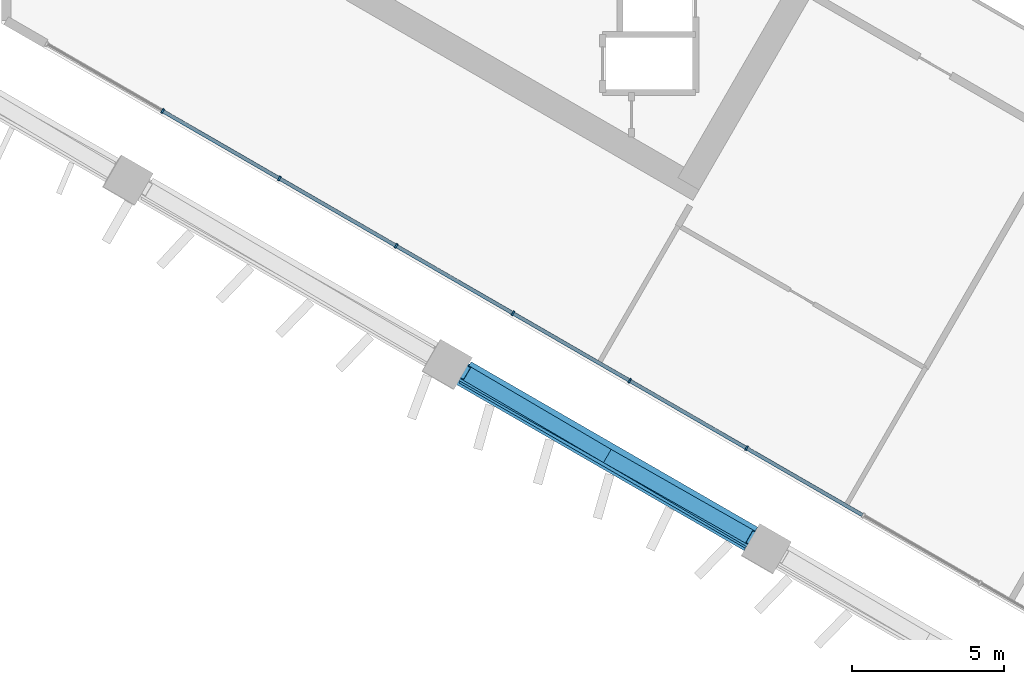
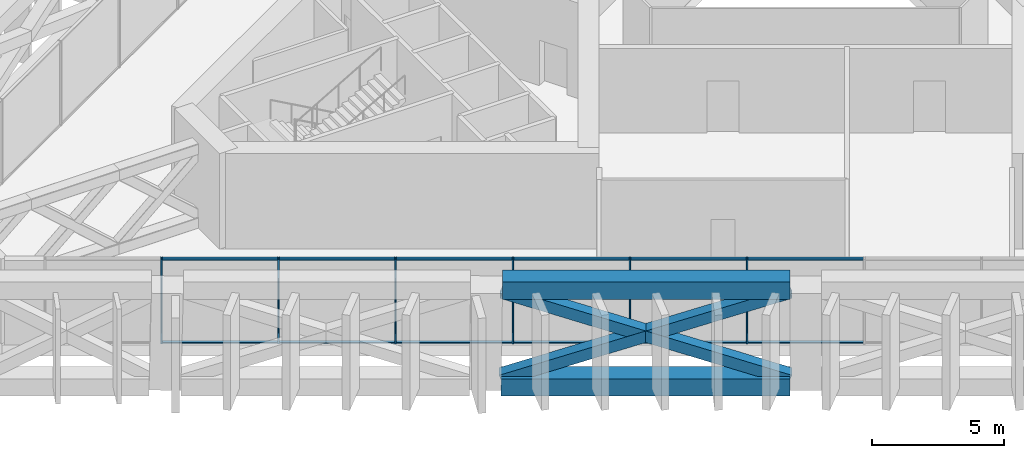
# One storey, part 2 of 18: 22 members, 1 element without a shape of its own.
"""IFC4 building model written with IfcOpenShell, lengths in metres."""

from ifc_helpers import new_model, si_unit, direction, frame, origin, origin_2d, place, context, subcontext, project, spatial, rectangle, hollow_rectangle, extrude, material, layer, layer_set, material_profile, profile_set, type_object, element, aggregate, save


model = new_model("IFC4")

# Units and contexts
model_context = context("Model", 3, precision=1e-05, world=origin(), true_north=direction((0.0, 1.0)))
body_context = subcontext(model_context, "Body", "Model", "MODEL_VIEW")
ifc_project = project(units=[si_unit("LENGTHUNIT", "METRE"), si_unit("AREAUNIT", "SQUARE_METRE"), si_unit("VOLUMEUNIT", "CUBIC_METRE"), si_unit("PLANEANGLEUNIT", "RADIAN"), si_unit("MASSUNIT", "GRAM", prefix="KILO")], contexts=[model_context])

# Site, building, storey
site_placement = place(None, origin())
site = spatial("IfcSite", under=ifc_project, at=site_placement, CompositionType="ELEMENT")
building_placement = place(site_placement, origin())
building = spatial("IfcBuilding", under=site, at=building_placement, Name="Jabali Bay Hotel Tower and Convention Centre", CompositionType="ELEMENT")
storey_placement = place(building_placement, frame((0.0, 0.0, 52.89990234375)))
storey = spatial("IfcBuildingStorey", under=building, at=storey_placement, Name="L11", CompositionType="ELEMENT", Elevation=52.89990234375)

# Members
ifc_material_1 = material(Name="Steel Q420GJC", Category="steel")
ifc_material_profile_1 = material_profile(ifc_material_1, hollow_rectangle(XDim=0.5, YDim=0.5, WallThickness=0.030029296875, at=origin_2d()), Name="Belt brace 500x500x30")
ifc_profile_set_1 = profile_set([ifc_material_profile_1], Name="Steel Q420GJC")
member_type_1 = type_object("IfcMemberType", Name="Belt brace 500x500x30", PredefinedType="BRACE", material=ifc_profile_set_1)
member_1_placement = place(storey_placement, frame((53.252685546875, 65.32421875, 0.21826171875), z_axis=(0.817278706472, -0.463891049165, 0.341848812273), x_axis=(0.493629794654, 0.869672136975, 0.0)))
element("IfcMember", 1, at=member_1_placement, inside=storey, type_object=member_type_1, Name="Belt brace T1 F2.2-F2.3 x1", PredefinedType="BRACE", context=body_context, shape_type="SweptSolid", body=[
    extrude(hollow_rectangle(XDim=0.5, YDim=0.5, WallThickness=0.030029296875, at=origin_2d()), origin(), (0.0, 0.0, 1.0), 11.5947265625),
])
member_2_placement = place(storey_placement, frame((62.688720703125, 59.876220703125, 0.21923828125), z_axis=(-0.809997225508, 0.47566199284, 0.343001695676), x_axis=(-0.506381751057, -0.8623094121, 0.0)))
element("IfcMember", 2, at=member_2_placement, inside=storey, type_object=member_type_1, Name="Belt brace T1 F2.2-F2.3 x2", PredefinedType="BRACE", context=body_context, shape_type="SweptSolid", body=[
    extrude(hollow_rectangle(XDim=0.5, YDim=0.5, WallThickness=0.030029296875, at=origin_2d()), origin(), (0.0, 0.0, 1.0), 11.550048828125),
])
ifc_material_profile_2 = material_profile(ifc_material_1, hollow_rectangle(XDim=0.800048828125, YDim=0.800048828125, WallThickness=0.0400390625, at=origin_2d()), Name="Belt chord 800x800x40")
ifc_profile_set_2 = profile_set([ifc_material_profile_2], Name="Steel Q420GJC")
member_type_2 = type_object("IfcMemberType", Name="Belt chord 800x800x40", PredefinedType="CHORD", material=ifc_profile_set_2)
member_3_placement = place(storey_placement, frame((53.25048828125, 65.3203125, 0.0), z_axis=(0.866031107881, -0.499990120084, 0.0), x_axis=(0.499990120084, 0.866031107881, 0.0)))
element("IfcMember", 3, at=member_3_placement, inside=storey, type_object=member_type_2, Name="Belt chord T1 F2.2-F2.3", PredefinedType="CHORD", context=body_context, shape_type="SweptSolid", body=[
    extrude(hollow_rectangle(XDim=0.800048828125, YDim=0.800048828125, WallThickness=0.0400390625, at=origin_2d()), origin(), (0.0, 0.0, 1.0), 10.895751953125),
])
member_4_placement = place(storey_placement, frame((53.33544921875, 65.373779296875, 4.400146484375), z_axis=(0.866032690154, -0.499987379426, 0.0), x_axis=(0.499987379426, 0.866032690154, 0.0)))
element("IfcMember", 4, at=member_4_placement, inside=storey, type_object=member_type_2, Name="Belt chord T1 F2.2-F2.3", PredefinedType="CHORD", context=body_context, shape_type="SweptSolid", body=[
    extrude(hollow_rectangle(XDim=0.800048828125, YDim=0.800048828125, WallThickness=0.0400390625, at=origin_2d()), origin(), (0.0, 0.0, 1.0), 10.848876953125),
])

# Curtain wall, members
ifc_material_2 = material(Name="Aluminium and glass", Category="aluminium")
ifc_layer = layer(ifc_material_2, 0.159912109375)
ifc_layer_set = layer_set([ifc_layer], Name="Aluminium and glass")
curtain_wall_type = type_object("IfcCurtainWallType", Name="CW3 curtain wall", PredefinedType="NOTDEFINED", material=ifc_layer_set)
curtain_wall_placement = place(storey_placement, origin())
curtain_wall = element("IfcCurtainWall", 5, at=curtain_wall_placement, inside=storey, type_object=curtain_wall_type, Name="CW3 curtain wall south-west face L11", PredefinedType="NOTDEFINED")
ifc_material_3 = material(Name="Aluminium", Category="aluminium")
ifc_material_profile_3 = material_profile(ifc_material_3, rectangle(XDim=0.159912109375, YDim=0.06005859375, at=origin_2d()), Name="CW3 mullion 60 x 160")
ifc_profile_set_3 = profile_set([ifc_material_profile_3], Name="Aluminium")
member_type_3 = type_object("IfcMemberType", Name="CW3 mullion 60 x 160", PredefinedType="MULLION", material=ifc_profile_set_3)
member_5_placement = place(storey_placement, frame((62.566162109375, 62.886474609375, 0.0), z_axis=(0.0, 0.0, 1.0), x_axis=(-0.500000005895, -0.866025400381, 0.0)))
member_5 = element("IfcMember", 6, at=member_5_placement, type_object=member_type_3, Name="CW3 mullion 8", PredefinedType="MULLION", context=body_context, shape_type="SweptSolid", body=[
    extrude(rectangle(XDim=0.159912109375, YDim=0.06005859375, at=origin_2d()), origin(), (0.0, 0.0, 1.0), 3.900146484375),
])
member_6_placement = place(storey_placement, frame((58.73583984375, 65.097900390625, 0.0), z_axis=(0.0, 0.0, 1.0), x_axis=(-0.500000005895, -0.866025400381, 0.0)))
member_6 = element("IfcMember", 7, at=member_6_placement, type_object=member_type_3, Name="CW3 mullion 9", PredefinedType="MULLION", context=body_context, shape_type="SweptSolid", body=[
    extrude(rectangle(XDim=0.159912109375, YDim=0.06005859375, at=origin_2d()), origin(), (0.0, 0.0, 1.0), 3.900146484375),
])
member_7_placement = place(storey_placement, frame((54.90576171875, 67.309326171875, 0.0), z_axis=(0.0, 0.0, 1.0), x_axis=(-0.500000005895, -0.866025400381, 0.0)))
member_7 = element("IfcMember", 8, at=member_7_placement, type_object=member_type_3, Name="CW3 mullion 10", PredefinedType="MULLION", context=body_context, shape_type="SweptSolid", body=[
    extrude(rectangle(XDim=0.159912109375, YDim=0.06005859375, at=origin_2d()), origin(), (0.0, 0.0, 1.0), 3.900146484375),
])
member_8_placement = place(storey_placement, frame((51.075439453125, 69.5205078125, 0.0), z_axis=(0.0, 0.0, 1.0), x_axis=(-0.500000005895, -0.866025400381, 0.0)))
member_8 = element("IfcMember", 9, at=member_8_placement, type_object=member_type_3, Name="CW3 mullion 11", PredefinedType="MULLION", context=body_context, shape_type="SweptSolid", body=[
    extrude(rectangle(XDim=0.159912109375, YDim=0.06005859375, at=origin_2d()), origin(), (0.0, 0.0, 1.0), 3.900146484375),
])
member_9_placement = place(storey_placement, frame((47.245361328125, 71.73193359375, 0.0), z_axis=(0.0, 0.0, 1.0), x_axis=(-0.500000005895, -0.866025400381, 0.0)))
member_9 = element("IfcMember", 10, at=member_9_placement, type_object=member_type_3, Name="CW3 mullion 12", PredefinedType="MULLION", context=body_context, shape_type="SweptSolid", body=[
    extrude(rectangle(XDim=0.159912109375, YDim=0.06005859375, at=origin_2d()), origin(), (0.0, 0.0, 1.0), 3.900146484375),
])
member_10_placement = place(storey_placement, frame((43.4150390625, 73.943359375, 0.0), z_axis=(0.0, 0.0, 1.0), x_axis=(-0.500000005895, -0.866025400381, 0.0)))
member_10 = element("IfcMember", 11, at=member_10_placement, type_object=member_type_3, Name="CW3 mullion 13", PredefinedType="MULLION", context=body_context, shape_type="SweptSolid", body=[
    extrude(rectangle(XDim=0.159912109375, YDim=0.06005859375, at=origin_2d()), origin(), (0.0, 0.0, 1.0), 3.900146484375),
])
ifc_material_profile_4 = material_profile(ifc_material_3, rectangle(XDim=0.1201171875, YDim=0.06005859375, at=origin_2d()), Name="CW3 transom 60 x 120")
ifc_profile_set_4 = profile_set([ifc_material_profile_4], Name="Aluminium")
member_type_4 = type_object("IfcMemberType", Name="CW3 transom 60 x 120", PredefinedType="USERDEFINED", material=ifc_profile_set_4)
member_11_placement = place(storey_placement, frame((66.370361328125, 60.690185546875, 0.030029296875), z_axis=(-0.86602716698, 0.499996946043, 0.0), x_axis=(-0.499996946043, -0.86602716698, 0.0)))
member_11 = element("IfcMember", 12, at=member_11_placement, type_object=member_type_4, Name="CW3 transom 7.1", ObjectType="TRANSOM", PredefinedType="USERDEFINED", context=body_context, shape_type="SweptSolid", body=[
    extrude(rectangle(XDim=0.1201171875, YDim=0.06005859375, at=origin_2d()), origin(), (0.0, 0.0, 1.0), 4.36279296875),
])
member_12_placement = place(storey_placement, frame((66.370361328125, 60.690185546875, 3.8701171875), z_axis=(-0.86602716698, 0.499996946043, 0.0), x_axis=(-0.499996946043, -0.86602716698, 0.0)))
member_12 = element("IfcMember", 13, at=member_12_placement, type_object=member_type_4, Name="CW3 transom 7.2", ObjectType="TRANSOM", PredefinedType="USERDEFINED", context=body_context, shape_type="SweptSolid", body=[
    extrude(rectangle(XDim=0.1201171875, YDim=0.06005859375, at=origin_2d()), origin(), (0.0, 0.0, 1.0), 4.36279296875),
])
member_13_placement = place(storey_placement, frame((62.5400390625, 62.901611328125, 0.030029296875), z_axis=(-0.866013176292, 0.50002117804, 0.0), x_axis=(-0.50002117804, -0.866013176292, 0.0)))
member_13 = element("IfcMember", 14, at=member_13_placement, type_object=member_type_4, Name="CW3 transom 8.1", ObjectType="TRANSOM", PredefinedType="USERDEFINED", context=body_context, shape_type="SweptSolid", body=[
    extrude(rectangle(XDim=0.1201171875, YDim=0.06005859375, at=origin_2d()), origin(), (0.0, 0.0, 1.0), 4.362548828125),
])
member_14_placement = place(storey_placement, frame((62.5400390625, 62.901611328125, 3.8701171875), z_axis=(-0.866013176292, 0.50002117804, 0.0), x_axis=(-0.50002117804, -0.866013176292, 0.0)))
member_14 = element("IfcMember", 15, at=member_14_placement, type_object=member_type_4, Name="CW3 transom 8.2", ObjectType="TRANSOM", PredefinedType="USERDEFINED", context=body_context, shape_type="SweptSolid", body=[
    extrude(rectangle(XDim=0.1201171875, YDim=0.06005859375, at=origin_2d()), origin(), (0.0, 0.0, 1.0), 4.362548828125),
])
member_15_placement = place(storey_placement, frame((58.7099609375, 65.11279296875, 0.030029296875), z_axis=(-0.86602716698, 0.499996946043, 0.0), x_axis=(-0.499996946043, -0.86602716698, 0.0)))
member_15 = element("IfcMember", 16, at=member_15_placement, type_object=member_type_4, Name="CW3 transom 9.1", ObjectType="TRANSOM", PredefinedType="USERDEFINED", context=body_context, shape_type="SweptSolid", body=[
    extrude(rectangle(XDim=0.1201171875, YDim=0.06005859375, at=origin_2d()), origin(), (0.0, 0.0, 1.0), 4.36279296875),
])
member_16_placement = place(storey_placement, frame((58.7099609375, 65.11279296875, 3.8701171875), z_axis=(-0.86602716698, 0.499996946043, 0.0), x_axis=(-0.499996946043, -0.86602716698, 0.0)))
member_16 = element("IfcMember", 17, at=member_16_placement, type_object=member_type_4, Name="CW3 transom 9.2", ObjectType="TRANSOM", PredefinedType="USERDEFINED", context=body_context, shape_type="SweptSolid", body=[
    extrude(rectangle(XDim=0.1201171875, YDim=0.06005859375, at=origin_2d()), origin(), (0.0, 0.0, 1.0), 4.36279296875),
])
member_17_placement = place(storey_placement, frame((54.879638671875, 67.32421875, 0.030029296875), z_axis=(-0.866013176292, 0.50002117804, 0.0), x_axis=(-0.50002117804, -0.866013176292, 0.0)))
member_17 = element("IfcMember", 18, at=member_17_placement, type_object=member_type_4, Name="CW3 transom 10.1", ObjectType="TRANSOM", PredefinedType="USERDEFINED", context=body_context, shape_type="SweptSolid", body=[
    extrude(rectangle(XDim=0.1201171875, YDim=0.06005859375, at=origin_2d()), origin(), (0.0, 0.0, 1.0), 4.362548828125),
])
member_18_placement = place(storey_placement, frame((54.879638671875, 67.32421875, 3.8701171875), z_axis=(-0.866013176292, 0.50002117804, 0.0), x_axis=(-0.50002117804, -0.866013176292, 0.0)))
member_18 = element("IfcMember", 19, at=member_18_placement, type_object=member_type_4, Name="CW3 transom 10.2", ObjectType="TRANSOM", PredefinedType="USERDEFINED", context=body_context, shape_type="SweptSolid", body=[
    extrude(rectangle(XDim=0.1201171875, YDim=0.06005859375, at=origin_2d()), origin(), (0.0, 0.0, 1.0), 4.362548828125),
])
member_19_placement = place(storey_placement, frame((51.049560546875, 69.53564453125, 0.030029296875), z_axis=(-0.86602716698, 0.499996946043, 0.0), x_axis=(-0.499996946043, -0.86602716698, 0.0)))
member_19 = element("IfcMember", 20, at=member_19_placement, type_object=member_type_4, Name="CW3 transom 11.1", ObjectType="TRANSOM", PredefinedType="USERDEFINED", context=body_context, shape_type="SweptSolid", body=[
    extrude(rectangle(XDim=0.1201171875, YDim=0.06005859375, at=origin_2d()), origin(), (0.0, 0.0, 1.0), 4.36279296875),
])
member_20_placement = place(storey_placement, frame((51.049560546875, 69.53564453125, 3.8701171875), z_axis=(-0.86602716698, 0.499996946043, 0.0), x_axis=(-0.499996946043, -0.86602716698, 0.0)))
member_20 = element("IfcMember", 21, at=member_20_placement, type_object=member_type_4, Name="CW3 transom 11.2", ObjectType="TRANSOM", PredefinedType="USERDEFINED", context=body_context, shape_type="SweptSolid", body=[
    extrude(rectangle(XDim=0.1201171875, YDim=0.06005859375, at=origin_2d()), origin(), (0.0, 0.0, 1.0), 4.36279296875),
])
member_21_placement = place(storey_placement, frame((47.21923828125, 71.7470703125, 0.030029296875), z_axis=(-0.866013176292, 0.50002117804, 0.0), x_axis=(-0.50002117804, -0.866013176292, 0.0)))
member_21 = element("IfcMember", 22, at=member_21_placement, type_object=member_type_4, Name="CW3 transom 12.1", ObjectType="TRANSOM", PredefinedType="USERDEFINED", context=body_context, shape_type="SweptSolid", body=[
    extrude(rectangle(XDim=0.1201171875, YDim=0.06005859375, at=origin_2d()), origin(), (0.0, 0.0, 1.0), 4.362548828125),
])
member_22_placement = place(storey_placement, frame((47.21923828125, 71.7470703125, 3.8701171875), z_axis=(-0.866013176292, 0.50002117804, 0.0), x_axis=(-0.50002117804, -0.866013176292, 0.0)))
member_22 = element("IfcMember", 23, at=member_22_placement, type_object=member_type_4, Name="CW3 transom 12.2", ObjectType="TRANSOM", PredefinedType="USERDEFINED", context=body_context, shape_type="SweptSolid", body=[
    extrude(rectangle(XDim=0.1201171875, YDim=0.06005859375, at=origin_2d()), origin(), (0.0, 0.0, 1.0), 4.362548828125),
])
aggregate(curtain_wall, [member_5, member_6, member_7, member_8, member_9, member_10, member_11, member_12, member_13, member_14, member_15, member_16, member_17, member_18, member_19, member_20, member_21, member_22])

save(model, "model.ifc")
